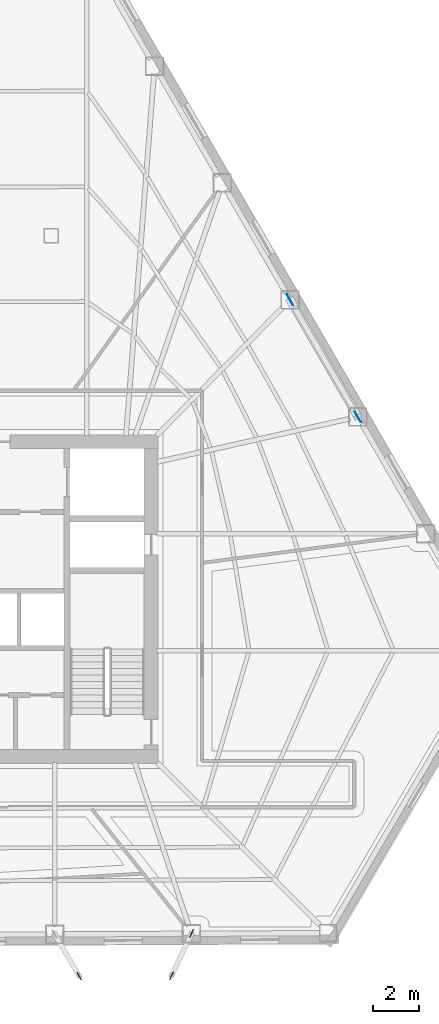
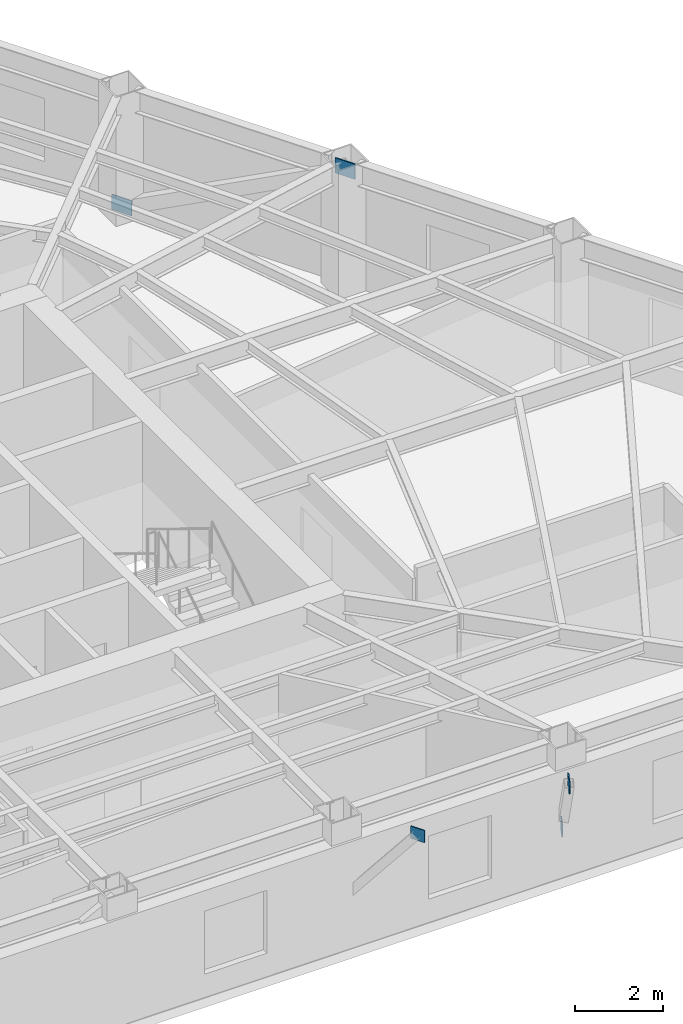
# One storey, part 7 of 15: 5 plates.
"""IFC4 building model written with IfcOpenShell, lengths in metres."""

from ifc_helpers import new_model, si_unit, direction, frame, origin, origin_2d, place, context, subcontext, project, spatial, rectangle, extrude, material, layer, layer_set, type_object, element, save


model = new_model("IFC4")

# Units and contexts
model_context = context("Model", 3, precision=1e-05, world=origin(), true_north=direction((0.0, 1.0)))
body_context = subcontext(model_context, "Body", "Model", "MODEL_VIEW")
ifc_project = project(units=[si_unit("LENGTHUNIT", "METRE"), si_unit("AREAUNIT", "SQUARE_METRE"), si_unit("VOLUMEUNIT", "CUBIC_METRE"), si_unit("PLANEANGLEUNIT", "RADIAN"), si_unit("MASSUNIT", "GRAM", prefix="KILO")], contexts=[model_context])

# Site, building, storey
site_placement = place(None, origin())
site = spatial("IfcSite", under=ifc_project, at=site_placement, CompositionType="ELEMENT")
building_placement = place(site_placement, origin())
building = spatial("IfcBuilding", under=site, at=building_placement, Name="Kavelnor Concourse Tower", CompositionType="ELEMENT")
storey_placement = place(building_placement, frame((0.0, 0.0, 67.60009765625)))
storey = spatial("IfcBuildingStorey", under=building, at=storey_placement, Name="L17", CompositionType="ELEMENT", Elevation=67.60009765625)

# Plates
ifc_material = material(Name="Steel Grade 350", Category="steel")
ifc_layer_1 = layer(ifc_material, 0.028076171875, Name="Steel Grade 350")
ifc_layer_set_1 = layer_set([ifc_layer_1], Name="Steel Grade 350")
plate_type_1 = type_object("IfcPlateType", Name="PL-GUSSET-FOLD", PredefinedType="USERDEFINED", material=ifc_layer_set_1)
for number, where, z_axis, x_axis, name in (
    (1, (44.712890625, -0.205810546875, 3.48486328125), (0.0, 0.0, 1.0), (0.505883219381, -0.862601975623, 0.0), "L17 Balcony Strut Gusset GP4 2-A End Gusset B"),
    (2, (49.564208984375, 1.641357421875, 0.8798828125), (0.0, 0.0, 1.0), (-0.427515649049, -0.904007947873, 0.0), "L17 Balcony Strut Gusset GP4 2-B End Gusset A"),
    (3, (48.70166015625, -0.18212890625, 3.48486328125), (0.0, 0.0, 1.0), (-0.427515649049, -0.904007947873, 0.0), "L17 Balcony Strut Gusset GP4 2-B End Gusset B"),
):
    element("IfcPlate", number, at=place(storey_placement, frame(where, z_axis=z_axis, x_axis=x_axis)), inside=storey, type_object=plate_type_1, Name=name, ObjectType="GUSSET_PLATE", PredefinedType="USERDEFINED", context=body_context, shape_type="SweptSolid", body=[
        extrude(rectangle(XDim=0.360107421875, YDim=0.028076171875, at=origin_2d()), origin(), (0.0, 0.0, 1.0), 0.340087890625),
    ])
ifc_layer_2 = layer(ifc_material, 0.031982421875, Name="Steel Grade 350")
ifc_layer_set_2 = layer_set([ifc_layer_2], Name="Steel Grade 350")
plate_type_2 = type_object("IfcPlateType", Name="PL-GUSSET-TUBE-Z1", PredefinedType="USERDEFINED", material=ifc_layer_set_2)
for number, where, z_axis, x_axis, name in (
    (4, (53.82080078125, 29.0400390625, 0.010009765625), (0.0, 0.0, 1.0), (0.501510737159, -0.86515142057, 0.0), "L17 Tube Brace Gusset GP3 F2-B2 End Gusset A"),
    (5, (56.762451171875, 23.964599609375, 3.073974609375), (0.0, 0.0, 1.0), (0.501510737159, -0.86515142057, 0.0), "L17 Tube Brace Gusset GP3 F2-B2 End Gusset B"),
):
    element("IfcPlate", number, at=place(storey_placement, frame(where, z_axis=z_axis, x_axis=x_axis)), inside=storey, type_object=plate_type_2, Name=name, ObjectType="GUSSET_PLATE", PredefinedType="USERDEFINED", context=body_context, shape_type="SweptSolid", body=[
        extrude(rectangle(XDim=0.52001953125, YDim=0.031982421875, at=origin_2d()), origin(), (0.0, 0.0, 1.0), 0.419921875),
    ])

save(model, "model.ifc")
